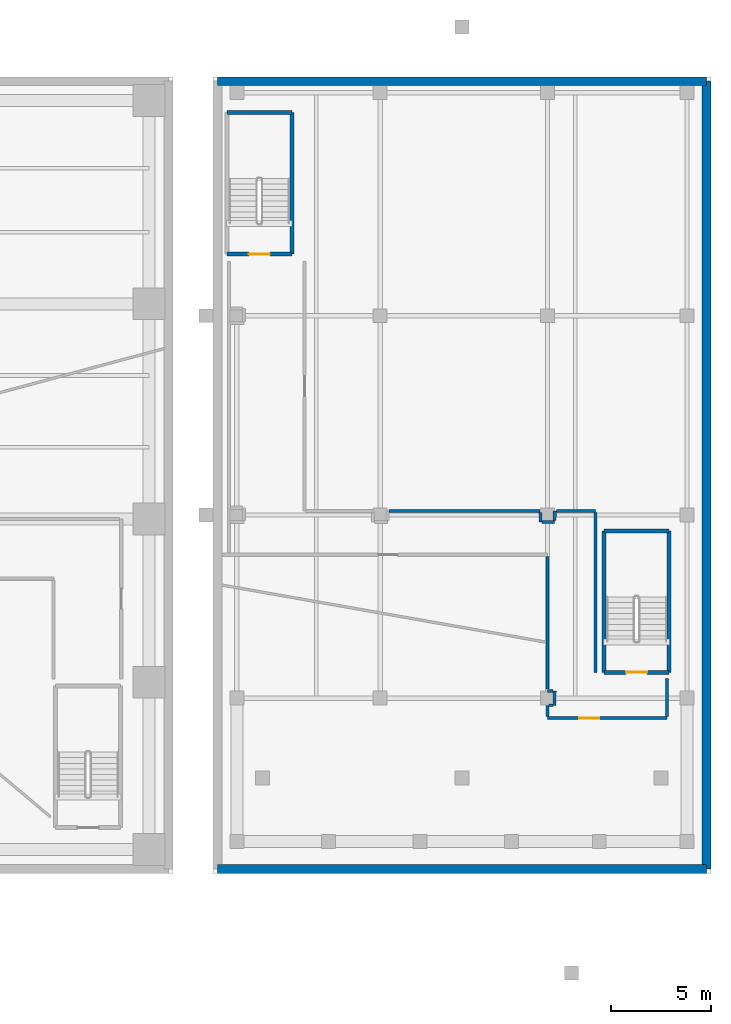
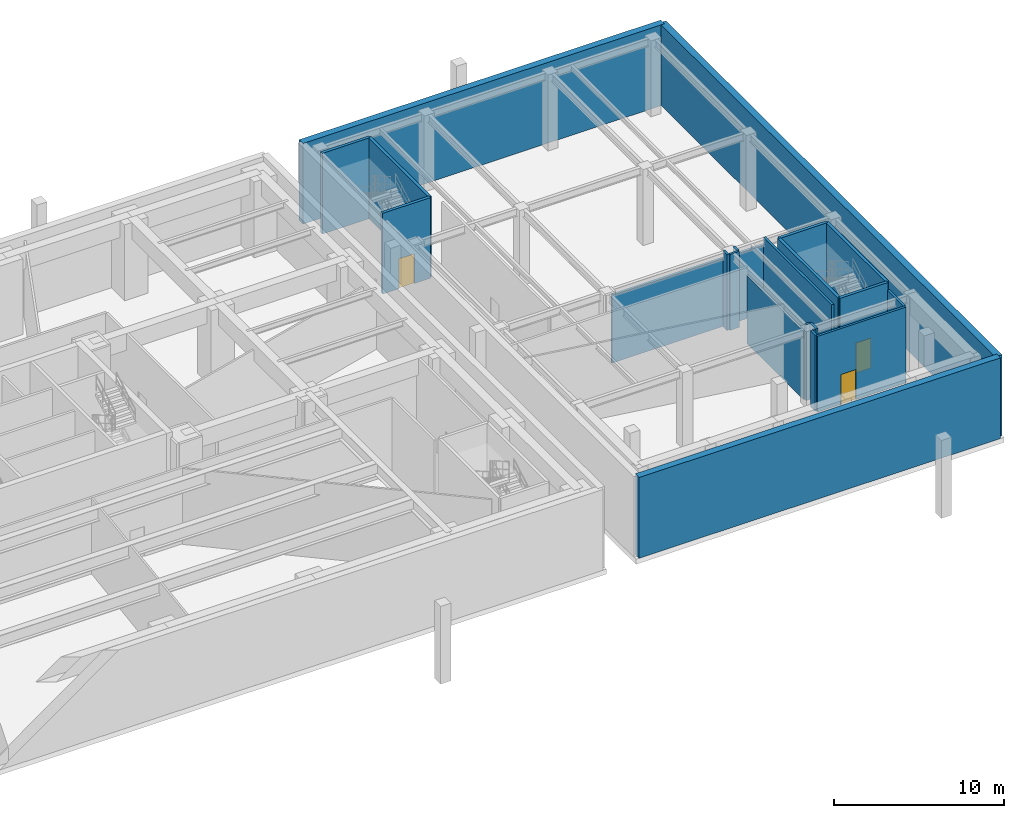
# One storey, part 6 of 12: 23 walls, 3 doors, 3 openings.
"""IFC4 building model written with IfcOpenShell, lengths in metres."""

from ifc_helpers import new_model, si_unit, direction, frame, frame_2d, origin, place, context, subcontext, project, spatial, rectangle, extrude, source, transform, mapped, material, layer, layer_set, type_object, type_shapes, element, fill, save


model = new_model("IFC4")

# Units and contexts
model_context = context("Model", 3, precision=1e-05, world=origin(), true_north=direction((0.0, 1.0)))
body_context = subcontext(model_context, "Body", "Model", "MODEL_VIEW")
ifc_project = project(units=[si_unit("LENGTHUNIT", "METRE"), si_unit("AREAUNIT", "SQUARE_METRE"), si_unit("VOLUMEUNIT", "CUBIC_METRE"), si_unit("PLANEANGLEUNIT", "RADIAN"), si_unit("MASSUNIT", "GRAM", prefix="KILO")], contexts=[model_context])

# Site, building, storey
site_placement = place(None, origin())
site = spatial("IfcSite", under=ifc_project, at=site_placement, CompositionType="ELEMENT")
building_placement = place(site_placement, origin())
building = spatial("IfcBuilding", under=site, at=building_placement, Name="Talar Marvaseh", CompositionType="ELEMENT")
storey_placement = place(building_placement, frame((0.0, 0.0, -5.800048828125)))
storey = spatial("IfcBuildingStorey", under=building, at=storey_placement, Name="B01", CompositionType="ELEMENT", Elevation=-5.800048828125)

# Walls
ifc_material_1 = material(Name="Concrete C50/60", Category="concrete")
ifc_layer_1 = layer(ifc_material_1, 0.449951171875)
ifc_layer_set_1 = layer_set([ifc_layer_1], Name="Concrete C50/60")
wall_type_1 = type_object("IfcWallType", Name="Basement Perimeter Waterproof Retaining Wall 450", PredefinedType="SHEAR", material=ifc_layer_set_1)
for number, where, z_axis, x_axis, name in (
    (1, (78.77490234375, 8.22509765625, 0.0), (0.0, 0.0, 1.0), (-1.0, 0.0, 0.0), "B01 Basement Retaining Wall"),
    (2, (54.22509765625, 47.77490234375, 0.0), (0.0, 0.0, 1.0), (1.0, 0.0, 0.0), "B01 Basement Retaining Wall"),
):
    element("IfcWall", number, at=place(storey_placement, frame(where, z_axis=z_axis, x_axis=x_axis)), inside=storey, type_object=wall_type_1, Name=name, PredefinedType="SHEAR", context=body_context, shape_type="SweptSolid", body=[
        extrude(rectangle(XDim=24.5498046875, YDim=0.449951171875, at=frame_2d((12.27490234375, 0.0))), origin(), (0.0, 0.0, 1.0), 5.800048828125),
    ])
wall_1_placement = place(storey_placement, frame((78.77490234375, 47.77490234375, 0.0), z_axis=(0.0, 0.0, 1.0), x_axis=(0.0, -1.0, 0.0)))
element("IfcWall", 3, at=wall_1_placement, inside=storey, type_object=wall_type_1, Name="B01 Basement Retaining Wall", PredefinedType="SHEAR", context=body_context, shape_type="SweptSolid", body=[
    extrude(rectangle(XDim=39.5498046875, YDim=0.449951171875, at=frame_2d((19.77490234375, 0.0))), origin(), (0.0, 0.0, 1.0), 5.800048828125),
])

# Wall, opening, door
ifc_material_2 = material(Name="Gypsum Board Partition Assembly")
ifc_layer_2 = layer(ifc_material_2, 0.155029296875)
ifc_layer_set_2 = layer_set([ifc_layer_2], Name="Gypsum Board Partition Assembly")
wall_type_2 = type_object("IfcWallType", Name="Corridor Fire-Rated Acoustic Partition 155", PredefinedType="PARTITIONING", material=ifc_layer_set_2)
wall_2_placement = place(storey_placement, frame((76.800048828125, 15.800048828125, 0.0), z_axis=(0.0, 0.0, 1.0), x_axis=(-1.0, 0.0, 0.0)))
wall_2 = element("IfcWall", 4, at=wall_2_placement, inside=storey, type_object=wall_type_2, Name="B01 Interior Partition Wall", PredefinedType="PARTITIONING", context=body_context, shape_type="SweptSolid", body=[
    extrude(rectangle(XDim=6.0, YDim=0.155029296875, at=frame_2d((3.0, 0.0))), origin(), (0.0, 0.0, 1.0), 5.449951171875),
])
opening_1_placement = place(wall_2_placement, frame((3.39990234375, 0.0, 0.0)))
opening_1 = element("IfcOpeningElement", 5, at=opening_1_placement, cuts=wall_2, Name="Opening DR-RM100", PredefinedType="OPENING", context=body_context, shape_type="SweptSolid", body=[
    extrude(rectangle(XDim=1.0, YDim=2.14990234375, at=frame_2d((0.5, 1.074951171875))), frame((0.0, 0.08740234375, 0.0), z_axis=(0.0, -1.0, 0.0), x_axis=(1.0, 0.0, 0.0)), (0.0, 0.0, 1.0), 0.175048828125),
])
ifc_material_3 = material(Name="Acoustic Engineered Oak Timber", Category="wood")
door_type_1 = type_object("IfcDoorType", Name="Corridor Fire-Rated Gallery Door 1000x2150", OperationType="NOTDEFINED", PredefinedType="DOOR", material=ifc_material_3)
shared_shape_1 = source(origin(), body_context, "Body", "SweptSolid", [
    extrude(rectangle(XDim=1.0, YDim=2.14990234375, at=frame_2d((0.5, 1.074951171875))), frame((0.0, 0.02490234375, 0.0), z_axis=(0.0, -1.0, 0.0), x_axis=(1.0, 0.0, 0.0)), (0.0, 0.0, 1.0), 0.050048828125),
])
type_shapes(door_type_1, [shared_shape_1])
door_1_placement = place(opening_1_placement, origin())
door_1 = element("IfcDoor", 6, at=door_1_placement, inside=storey, type_object=door_type_1, Name="B01 Market Substructure Cold Storage Plant Door", OperationType="SINGLE_SWING_LEFT", OverallHeight=2.14990234375, OverallWidth=1.0, PredefinedType="DOOR", context=body_context, shape_type="MappedRepresentation", body=[
    mapped(shared_shape_1, transform((0.0, 0.0, 0.0), x_axis=(1.0, 0.0, 0.0), y_axis=(0.0, 1.0, 0.0), z_axis=(0.0, 0.0, 1.0), scale=1.0)),
])
fill(opening_1, door_1)

# Walls
wall_3_placement = place(storey_placement, frame((71.14990234375, 16.43505859375, 0.0), z_axis=(0.0, 0.0, 1.0), x_axis=(0.018258707467, 0.999833295906, 0.0)))
element("IfcWall", 7, at=wall_3_placement, inside=storey, type_object=wall_type_2, Name="B01 Interior Partition Wall", PredefinedType="PARTITIONING", context=body_context, shape_type="SweptSolid", body=[
    extrude(rectangle(XDim=0.721923828125, YDim=0.155029296875, at=frame_2d((0.36083984375, 0.0))), origin(), (0.0, 0.0, 1.0), 5.449951171875),
])
wall_4_placement = place(storey_placement, frame((71.07958984375, 17.158935546875, 0.0), z_axis=(0.0, 0.0, 1.0), x_axis=(-0.999761722079, 0.021828858561, 0.0)))
element("IfcWall", 8, at=wall_4_placement, inside=storey, type_object=wall_type_2, Name="B01 Interior Partition Wall", PredefinedType="PARTITIONING", context=body_context, shape_type="SweptSolid", body=[
    extrude(rectangle(XDim=0.279541015625, YDim=0.155029296875, at=frame_2d((0.1396484375, 0.0))), origin(), (0.0, 0.0, 1.0), 5.449951171875),
])
wall_5_placement = place(storey_placement, frame((70.800048828125, 17.24853515625, 0.0), z_axis=(0.0, 0.0, 1.0), x_axis=(0.0, 1.0, 0.0)))
element("IfcWall", 9, at=wall_5_placement, inside=storey, type_object=wall_type_2, Name="B01 Interior Partition Wall", PredefinedType="PARTITIONING", context=body_context, shape_type="SweptSolid", body=[
    extrude(rectangle(XDim=6.66796875, YDim=0.155029296875, at=frame_2d((3.333984375, 0.0))), origin(), (0.0, 0.0, 1.0), 4.881103515625),
])
wall_6_placement = place(storey_placement, frame((62.848388671875, 26.199951171875, 0.0), z_axis=(0.0, 0.0, 1.0), x_axis=(1.0, 0.0, 0.0)))
element("IfcWall", 10, at=wall_6_placement, inside=storey, type_object=wall_type_2, Name="B01 Interior Partition Wall", PredefinedType="PARTITIONING", context=body_context, shape_type="SweptSolid", body=[
    extrude(rectangle(XDim=7.586669921875, YDim=0.155029296875, at=frame_2d((3.79345703125, 0.0))), origin(), (0.0, 0.0, 1.0), 4.881103515625),
])
wall_7_placement = place(storey_placement, frame((70.437255859375, 26.116455078125, 0.0), z_axis=(0.0, 0.0, 1.0), x_axis=(0.026360005458, -0.999652514683, 0.0)))
element("IfcWall", 11, at=wall_7_placement, inside=storey, type_object=wall_type_2, Name="B01 Interior Partition Wall", PredefinedType="PARTITIONING", context=body_context, shape_type="SweptSolid", body=[
    extrude(rectangle(XDim=0.481689453125, YDim=0.155029296875, at=frame_2d((0.24072265625, 0.0))), origin(), (0.0, 0.0, 1.0), 5.449951171875),
])
wall_8_placement = place(storey_placement, frame((70.533447265625, 25.635498046875, 0.0), z_axis=(0.0, 0.0, 1.0), x_axis=(0.999989048104, 0.004680135951, 0.0)))
element("IfcWall", 12, at=wall_8_placement, inside=storey, type_object=wall_type_2, Name="B01 Interior Partition Wall", PredefinedType="PARTITIONING", context=body_context, shape_type="SweptSolid", body=[
    extrude(rectangle(XDim=0.6259765625, YDim=0.155029296875, at=frame_2d((0.31298828125, 0.0))), origin(), (0.0, 0.0, 1.0), 5.449951171875),
])
wall_9_placement = place(storey_placement, frame((71.160400390625, 25.721923828125, 0.0), z_axis=(0.0, 0.0, 1.0), x_axis=(0.009703322529, 0.999952921658, 0.0)))
element("IfcWall", 13, at=wall_9_placement, inside=storey, type_object=wall_type_2, Name="B01 Interior Partition Wall", PredefinedType="PARTITIONING", context=body_context, shape_type="SweptSolid", body=[
    extrude(rectangle(XDim=0.47802734375, YDim=0.155029296875, at=frame_2d((0.239013671875, 0.0))), origin(), (0.0, 0.0, 1.0), 5.449951171875),
])
wall_10_placement = place(storey_placement, frame((71.24853515625, 26.199951171875, 0.0), z_axis=(0.0, 0.0, 1.0), x_axis=(1.0, 0.0, 0.0)))
element("IfcWall", 14, at=wall_10_placement, inside=storey, type_object=wall_type_2, Name="B01 Interior Partition Wall", PredefinedType="PARTITIONING", context=body_context, shape_type="SweptSolid", body=[
    extrude(rectangle(XDim=1.951416015625, YDim=0.155029296875, at=frame_2d((0.9755859375, 0.0))), origin(), (0.0, 0.0, 1.0), 4.881103515625),
])
wall_11_placement = place(storey_placement, frame((73.199951171875, 26.116455078125, 0.0), z_axis=(0.0, 0.0, 1.0), x_axis=(0.0, -1.0, 0.0)))
element("IfcWall", 15, at=wall_11_placement, inside=storey, type_object=wall_type_2, Name="B01 Interior Partition Wall", PredefinedType="PARTITIONING", context=body_context, shape_type="SweptSolid", body=[
    extrude(rectangle(XDim=8.016357421875, YDim=0.155029296875, at=frame_2d((4.00830078125, 0.0))), origin(), (0.0, 0.0, 1.0), 5.449951171875),
])
wall_12_placement = place(storey_placement, frame((76.800048828125, 17.780029296875, 0.0), z_axis=(0.0, 0.0, 1.0), x_axis=(0.0, -1.0, 0.0)))
element("IfcWall", 16, at=wall_12_placement, inside=storey, type_object=wall_type_2, Name="B01 Interior Partition Wall", PredefinedType="PARTITIONING", context=body_context, shape_type="SweptSolid", body=[
    extrude(rectangle(XDim=1.896484375, YDim=0.155029296875, at=frame_2d((0.9482421875, 0.0))), origin(), (0.0, 0.0, 1.0), 5.449951171875),
])
wall_13_placement = place(storey_placement, frame((70.800048828125, 15.883544921875, 0.0), z_axis=(0.0, 0.0, 1.0), x_axis=(0.0, 1.0, 0.0)))
element("IfcWall", 17, at=wall_13_placement, inside=storey, type_object=wall_type_2, Name="B01 Interior Partition Wall", PredefinedType="PARTITIONING", context=body_context, shape_type="SweptSolid", body=[
    extrude(rectangle(XDim=0.551513671875, YDim=0.155029296875, at=frame_2d((0.27587890625, 0.0))), origin(), (0.0, 0.0, 1.0), 5.449951171875),
])
ifc_layer_3 = layer(ifc_material_2, 0.1201171875)
ifc_layer_set_3 = layer_set([ifc_layer_3], Name="Gypsum Board Partition Assembly")
wall_type_3 = type_object("IfcWallType", Name="Demountable Studio Room Partition 120", PredefinedType="PARTITIONING", material=ifc_layer_set_3)
wall_14_placement = place(storey_placement, frame((70.883544921875, 16.43505859375, 0.0), z_axis=(0.0, 0.0, 1.0), x_axis=(1.0, 0.0, 0.0)))
element("IfcWall", 18, at=wall_14_placement, inside=storey, type_object=wall_type_3, Name="B01 Interior Partition Wall", PredefinedType="PARTITIONING", context=body_context, shape_type="SweptSolid", body=[
    extrude(rectangle(XDim=0.182861328125, YDim=0.1201171875, at=frame_2d((0.09130859375, 0.0))), origin(), (0.0, 0.0, 1.0), 5.449951171875),
])

# Wall, opening, door
ifc_layer_4 = layer(ifc_material_1, 0.199951171875)
ifc_layer_set_4 = layer_set([ifc_layer_4], Name="Concrete C50/60")
wall_type_4 = type_object("IfcWallType", Name="Stair Shaft Structural Concrete Shear Wall 200", PredefinedType="SHEAR", material=ifc_layer_set_4)
wall_15_placement = place(storey_placement, frame((57.9599609375, 39.10009765625, 0.0), z_axis=(0.0, 0.0, 1.0), x_axis=(-1.0, 0.0, 0.0)))
wall_15 = element("IfcWall", 19, at=wall_15_placement, inside=storey, type_object=wall_type_4, Name="B01 MH-ST1 South Shear Wall", PredefinedType="SHEAR", context=body_context, shape_type="SweptSolid", body=[
    extrude(rectangle(XDim=3.260009765625, YDim=0.199951171875, at=frame_2d((1.6298828125, 0.0))), origin(), (0.0, 0.0, 1.0), 5.800048828125),
])
opening_2_placement = place(wall_15_placement, frame((1.10009765625, 0.0, 0.0)))
opening_2 = element("IfcOpeningElement", 20, at=opening_2_placement, cuts=wall_15, Name="Opening DR-ST105", PredefinedType="OPENING", context=body_context, shape_type="SweptSolid", body=[
    extrude(rectangle(XDim=1.050048828125, YDim=2.14990234375, at=frame_2d((0.52490234375, 1.074951171875))), frame((0.0, 0.10986328125, 0.0), z_axis=(0.0, -1.0, 0.0), x_axis=(1.0, 0.0, 0.0)), (0.0, 0.0, 1.0), 0.219970703125),
])
ifc_material_4 = material(Name="Fire-Rated Steel Door Leaf", Category="steel")
door_type_2 = type_object("IfcDoorType", Name="Protected Exit Stair Fire Door 1050x2150", OperationType="NOTDEFINED", PredefinedType="DOOR", material=ifc_material_4)
shared_shape_2 = source(origin(), body_context, "Body", "SweptSolid", [
    extrude(rectangle(XDim=1.050048828125, YDim=2.14990234375, at=frame_2d((0.52490234375, 1.074951171875))), frame((0.0, 0.02490234375, 0.0), z_axis=(0.0, -1.0, 0.0), x_axis=(1.0, 0.0, 0.0)), (0.0, 0.0, 1.0), 0.050048828125),
])
type_shapes(door_type_2, [shared_shape_2])
door_2_placement = place(opening_2_placement, origin())
door_2 = element("IfcDoor", 21, at=door_2_placement, inside=storey, type_object=door_type_2, Name="B01 MH-ST1 Exit Door", OperationType="SINGLE_SWING_LEFT", OverallHeight=2.14990234375, OverallWidth=1.050048828125, PredefinedType="DOOR", context=body_context, shape_type="MappedRepresentation", body=[
    mapped(shared_shape_2, transform((0.0, 0.0, 0.0), x_axis=(1.0, 0.0, 0.0), y_axis=(0.0, 1.0, 0.0), z_axis=(0.0, 0.0, 1.0), scale=1.0)),
])
fill(opening_2, door_2)

# Walls
wall_16_placement = place(storey_placement, frame((54.699951171875, 46.199951171875, 0.0), z_axis=(0.0, 0.0, 1.0), x_axis=(1.0, 0.0, 0.0)))
element("IfcWall", 22, at=wall_16_placement, inside=storey, type_object=wall_type_4, Name="B01 MH-ST1 North Shear Wall", PredefinedType="SHEAR", context=body_context, shape_type="SweptSolid", body=[
    extrude(rectangle(XDim=3.260009765625, YDim=0.199951171875, at=frame_2d((1.6298828125, 0.0))), origin(), (0.0, 0.0, 1.0), 5.800048828125),
])
wall_17_placement = place(storey_placement, frame((57.9599609375, 39.10009765625, 0.0), z_axis=(0.0, 0.0, 1.0), x_axis=(0.0, 1.0, 0.0)))
element("IfcWall", 23, at=wall_17_placement, inside=storey, type_object=wall_type_4, Name="B01 MH-ST1 East Shear Wall", PredefinedType="SHEAR", context=body_context, shape_type="SweptSolid", body=[
    extrude(rectangle(XDim=7.099853515625, YDim=0.199951171875, at=frame_2d((3.5498046875, 0.0))), origin(), (0.0, 0.0, 1.0), 5.800048828125),
])

# Wall, opening, door
wall_18_placement = place(storey_placement, frame((76.89990234375, 18.10009765625, 0.0), z_axis=(0.0, 0.0, 1.0), x_axis=(-1.0, 0.0, 0.0)))
wall_18 = element("IfcWall", 24, at=wall_18_placement, inside=storey, type_object=wall_type_4, Name="B01 MH-ST2 South Shear Wall", PredefinedType="SHEAR", context=body_context, shape_type="SweptSolid", body=[
    extrude(rectangle(XDim=3.260009765625, YDim=0.199951171875, at=frame_2d((1.6298828125, 0.0))), origin(), (0.0, 0.0, 1.0), 5.800048828125),
])
opening_3_placement = place(wall_18_placement, frame((1.10009765625, 0.0, 0.0)))
opening_3 = element("IfcOpeningElement", 25, at=opening_3_placement, cuts=wall_18, Name="Opening DR-ST105", PredefinedType="OPENING", context=body_context, shape_type="SweptSolid", body=[
    extrude(rectangle(XDim=1.050048828125, YDim=2.14990234375, at=frame_2d((0.52490234375, 1.074951171875))), frame((0.0, 0.10986328125, 0.0), z_axis=(0.0, -1.0, 0.0), x_axis=(1.0, 0.0, 0.0)), (0.0, 0.0, 1.0), 0.219970703125),
])
door_3_placement = place(opening_3_placement, origin())
door_3 = element("IfcDoor", 26, at=door_3_placement, inside=storey, type_object=door_type_2, Name="B01 MH-ST2 Exit Door", OperationType="SINGLE_SWING_LEFT", OverallHeight=2.14990234375, OverallWidth=1.050048828125, PredefinedType="DOOR", context=body_context, shape_type="MappedRepresentation", body=[
    mapped(shared_shape_2, transform((0.0, 0.0, 0.0), x_axis=(1.0, 0.0, 0.0), y_axis=(0.0, 1.0, 0.0), z_axis=(0.0, 0.0, 1.0), scale=1.0)),
])
fill(opening_3, door_3)

# Walls
wall_19_placement = place(storey_placement, frame((73.639892578125, 25.199951171875, 0.0), z_axis=(0.0, 0.0, 1.0), x_axis=(1.0, 0.0, 0.0)))
element("IfcWall", 27, at=wall_19_placement, inside=storey, type_object=wall_type_4, Name="B01 MH-ST2 North Shear Wall", PredefinedType="SHEAR", context=body_context, shape_type="SweptSolid", body=[
    extrude(rectangle(XDim=3.260009765625, YDim=0.199951171875, at=frame_2d((1.6298828125, 0.0))), origin(), (0.0, 0.0, 1.0), 5.800048828125),
])
for number, where, z_axis, x_axis, name in (
    (28, (73.639892578125, 18.10009765625, 0.0), (0.0, 0.0, 1.0), (0.0, 1.0, 0.0), "B01 MH-ST2 West Shear Wall"),
    (29, (76.89990234375, 18.10009765625, 0.0), (0.0, 0.0, 1.0), (0.0, 1.0, 0.0), "B01 MH-ST2 East Shear Wall"),
):
    element("IfcWall", number, at=place(storey_placement, frame(where, z_axis=z_axis, x_axis=x_axis)), inside=storey, type_object=wall_type_4, Name=name, PredefinedType="SHEAR", context=body_context, shape_type="SweptSolid", body=[
        extrude(rectangle(XDim=7.099853515625, YDim=0.199951171875, at=frame_2d((3.5498046875, 0.0))), origin(), (0.0, 0.0, 1.0), 5.800048828125),
    ])

save(model, "model.ifc")
